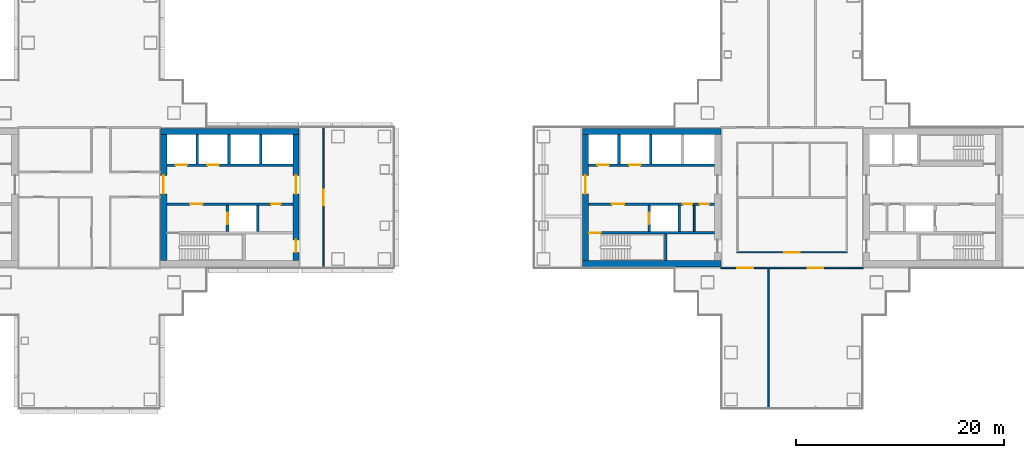
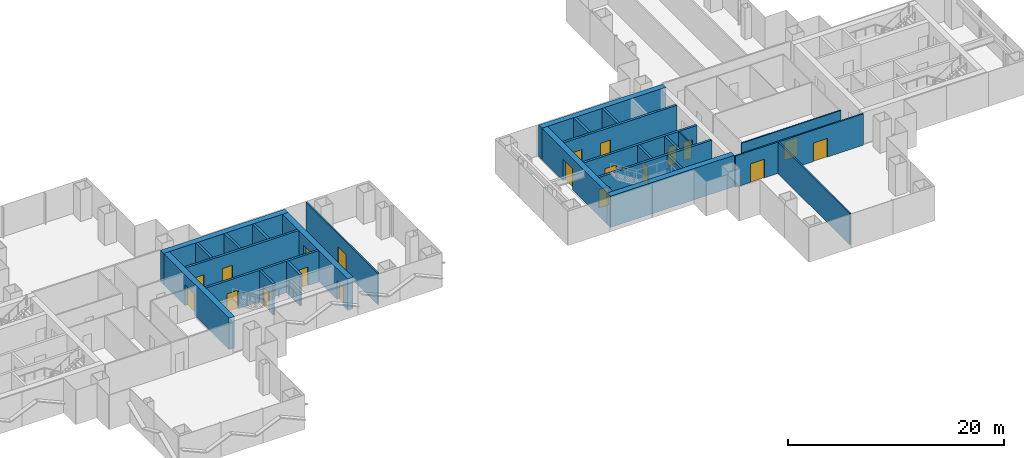
# One storey, part 13 of 18: 26 walls, 20 doors, 20 openings.
"""IFC4 building model written with IfcOpenShell, lengths in metres."""

import ifcopenshell
import ifcopenshell.guid

model = None  # the IFC model being written
_history = None  # IfcOwnerHistory: only IFC2X3 demands one
_inside = {}  # id of a spatial element -> (the spatial element, [elements in it])
_under = {}  # id of a project, library or spatial element -> (it, [spatial elements below it])
_declared = {}  # id of a project -> (the project, [libraries it declares])
_typed = {}  # id of a type object -> (the type object, [elements of that type])
_made_of = {}  # id of a material, layer set ... -> (it, [elements and type objects made of it])


def new_model(schema):
    """Start an empty IFC model of exactly this schema.

    Asked for "IFC4X3", IfcOpenShell would pick the latest addendum, in which some entities
    have other attributes; the version numbers below select the first issue.
    IFC2X3 requires an IfcOwnerHistory on every rooted entity: one is made here for all.
    """
    global model, _history
    if schema == "IFC4X3":
        model = ifcopenshell.file(schema_version=(4, 3, 0, 0))
    else:
        model = ifcopenshell.file(schema=schema)
    _inside.clear()
    _under.clear()
    _declared.clear()
    _typed.clear()
    _made_of.clear()
    _history = None
    if model.schema == "IFC2X3":
        org = make("IfcOrganization", Name="unknown")
        user = make(
            "IfcPersonAndOrganization",
            ThePerson=make("IfcPerson", FamilyName="unknown"),
            TheOrganization=org,
        )
        app = make(
            "IfcApplication",
            ApplicationDeveloper=org,
            Version="unknown",
            ApplicationFullName="unknown",
            ApplicationIdentifier="unknown",
        )
        _history = make(
            "IfcOwnerHistory",
            OwningUser=user,
            OwningApplication=app,
            ChangeAction="ADDED",
            CreationDate=0,
        )
    return model


def make(cls, **values):
    """One entity of the class cls with the attributes given. An attribute that is None is left unset."""
    return model.create_entity(
        cls, **{name: value for name, value in values.items() if value is not None}
    )


def rooted(cls, **values):
    """An entity with a GlobalId (a new one), such as an element, a storey or a relation."""
    return make(cls, GlobalId=ifcopenshell.guid.new(), OwnerHistory=_history, **values)


def si_unit(unit_type, name, prefix=None):
    """IfcSIUnit, for example si_unit("LENGTHUNIT", "METRE", prefix="MILLI")."""
    return make("IfcSIUnit", UnitType=unit_type, Prefix=prefix, Name=name)


def assignment(units):
    """IfcUnitAssignment: the units of a project."""
    return None if units is None else make("IfcUnitAssignment", Units=units)


def point(xyz):
    """IfcCartesianPoint."""
    return None if xyz is None else make("IfcCartesianPoint", Coordinates=xyz)


def direction(xyz):
    """IfcDirection."""
    return None if xyz is None else make("IfcDirection", DirectionRatios=xyz)


def frame(location, z_axis=None, x_axis=None):
    """IfcAxis2Placement3D, a coordinate frame: its origin and axes. An axis left out is left unset."""
    return make(
        "IfcAxis2Placement3D",
        Location=point(location),
        Axis=direction(z_axis),
        RefDirection=direction(x_axis),
    )


def frame_2d(location, x_axis=None):
    """IfcAxis2Placement2D, a coordinate frame in the plane: its origin and x axis."""
    return make(
        "IfcAxis2Placement2D", Location=point(location), RefDirection=direction(x_axis)
    )


def origin():
    """The frame at (0, 0, 0) with its axes left unset."""
    return frame((0.0, 0.0, 0.0))


def place(relative_to, where):
    """IfcLocalPlacement: puts the frame where relative to a parent placement (None: the world)."""
    return make(
        "IfcLocalPlacement", PlacementRelTo=relative_to, RelativePlacement=where
    )


def context(
    kind, dimensions, precision=None, world=None, true_north=None, identifier=None
):
    """IfcGeometricRepresentationContext, for example the 3D "Model" context."""
    return make(
        "IfcGeometricRepresentationContext",
        ContextIdentifier=identifier,
        ContextType=kind,
        CoordinateSpaceDimension=dimensions,
        Precision=precision,
        WorldCoordinateSystem=world,
        TrueNorth=true_north,
    )


def subcontext(parent, identifier, kind, view, scale=None):
    """IfcGeometricRepresentationSubContext, for example "Body" below "Model"."""
    return make(
        "IfcGeometricRepresentationSubContext",
        ContextIdentifier=identifier,
        ContextType=kind,
        ParentContext=parent,
        TargetScale=scale,
        TargetView=view,
    )


def project(units=None, contexts=None):
    """IfcProject with its units and contexts."""
    return rooted(
        "IfcProject",
        Name="project",
        RepresentationContexts=contexts,
        UnitsInContext=assignment(units),
    )


def spatial(cls, under=None, at=None, **own):
    """A site, building, storey or space (cls), placed at a placement, below another one or the project."""
    s = rooted(cls, ObjectPlacement=at, **own)
    if under is not None:
        _under.setdefault(under.id(), (under, []))[1].append(s)
    return s


def profile(cls, at=None, kind="AREA", **sizes):
    """A parametric profile (cls). Its sizes go by their IFC names, for example OverallWidth=200.0."""
    return make(cls, ProfileType=kind, Position=at, **sizes)


def rectangle(**sizes):
    """IfcRectangleProfileDef."""
    return profile("IfcRectangleProfileDef", **sizes)


def extrude(swept, where, along, depth):
    """IfcExtrudedAreaSolid: the profile swept, set in the frame where, extruded along a direction by depth."""
    return make(
        "IfcExtrudedAreaSolid",
        SweptArea=swept,
        Position=where,
        ExtrudedDirection=direction(along),
        Depth=depth,
    )


def shape(context_of_items, identifier, shape_type, items):
    """IfcShapeRepresentation: the items that make up one representation, for example the "Body"."""
    return make(
        "IfcShapeRepresentation",
        ContextOfItems=context_of_items,
        RepresentationIdentifier=identifier,
        RepresentationType=shape_type,
        Items=items,
    )


def material(Name=None, Category=None):
    """IfcMaterial."""
    return make("IfcMaterial", Name=Name, Category=Category)


def layer(
    of_material, thickness, ventilated=None, Name=None, Category=None, Priority=None
):
    """IfcMaterialLayer: one layer of a wall or slab, of a material (None: an air gap)."""
    return make(
        "IfcMaterialLayer",
        Material=of_material,
        LayerThickness=thickness,
        IsVentilated=ventilated,
        Name=Name,
        Category=Category,
        Priority=Priority,
    )


def layer_set(layers, Name=None):
    """IfcMaterialLayerSet."""
    return make("IfcMaterialLayerSet", MaterialLayers=layers, LayerSetName=Name)


def made_of(thing, what):
    """Note that an element or type object is made of a material, layer set ...; save() writes the relation."""
    if what is not None:
        _made_of.setdefault(what.id(), (what, []))[1].append(thing)
    return thing


def type_object(cls, material=None, **own):
    """A type object (cls), such as IfcWallType, which elements share."""
    return made_of(rooted(cls, **own), material)


def element(
    cls,
    number,
    at=None,
    inside=None,
    cuts=None,
    type_object=None,
    material=None,
    context=None,
    identifier="Body",
    shape_type=None,
    held_by="IfcProductDefinitionShape",
    body=None,
    shapes=None,
    **own,
):
    """One element of the class cls, such as IfcWall. Its Tag is "e" and its number.

    at: its placement. inside: the storey or other place that contains it. cuts: it is an
    opening in that element (IfcRelVoidsElement). A single representation is given by context,
    identifier, shape_type and body (its items); several are given by shapes. held_by: the class
    of the entity that holds the representations. save() writes the other relations.
    """
    e = rooted(cls, Tag="e%d" % number, ObjectPlacement=at, **own)
    if body is not None:
        shapes = [shape(context, identifier, shape_type, body)]
    if shapes is not None:
        e.Representation = make(held_by, Representations=shapes)
    if inside is not None:
        _inside.setdefault(inside.id(), (inside, []))[1].append(e)
    if cuts is not None:
        rooted(
            "IfcRelVoidsElement", RelatingBuildingElement=cuts, RelatedOpeningElement=e
        )
    if type_object is not None:
        _typed.setdefault(type_object.id(), (type_object, []))[1].append(e)
    return made_of(e, material)


def fill(opening, filler):
    """IfcRelFillsElement: the door or window that sits in an opening."""
    return rooted(
        "IfcRelFillsElement",
        RelatingOpeningElement=opening,
        RelatedBuildingElement=filler,
    )


def aggregate(whole, parts):
    """IfcRelAggregates: a whole, such as a stair, and the parts it consists of."""
    return rooted("IfcRelAggregates", RelatingObject=whole, RelatedObjects=parts)


def save(model, path):
    """Write the relations noted so far, then the file.

    IfcRelAggregates (storeys below a building ...), IfcRelContainedInSpatialStructure (elements
    in a storey), IfcRelDefinesByType, IfcRelAssociatesMaterial and IfcRelDeclares: one each for
    every whole, place, type object, material and project.
    """
    for whole, parts in _under.values():
        aggregate(whole, parts)
    for where, things in _inside.values():
        rooted(
            "IfcRelContainedInSpatialStructure",
            RelatedElements=things,
            RelatingStructure=where,
        )
    for kind, things in _typed.values():
        rooted("IfcRelDefinesByType", RelatedObjects=things, RelatingType=kind)
    for what, things in _made_of.values():
        rooted("IfcRelAssociatesMaterial", RelatedObjects=things, RelatingMaterial=what)
    for by, libraries in _declared.values():
        rooted("IfcRelDeclares", RelatingContext=by, RelatedDefinitions=libraries)
    model.write(path)


model = new_model("IFC4")

# Units and contexts
model_context = context("Model", 3, precision=1e-05, world=origin(), true_north=direction((0.0, 1.0)))
body_context = subcontext(model_context, "Body", "Model", "MODEL_VIEW")
ifc_project = project(units=[si_unit("LENGTHUNIT", "METRE"), si_unit("AREAUNIT", "SQUARE_METRE"), si_unit("VOLUMEUNIT", "CUBIC_METRE"), si_unit("PLANEANGLEUNIT", "RADIAN"), si_unit("MASSUNIT", "GRAM", prefix="KILO")], contexts=[model_context])

# Site, building, storey
site_placement = place(None, origin())
site = spatial("IfcSite", under=ifc_project, at=site_placement, CompositionType="ELEMENT")
building_placement = place(site_placement, origin())
building = spatial("IfcBuilding", under=site, at=building_placement, Name="Shamsa Quay Exchange Towers", CompositionType="ELEMENT")
storey_placement = place(building_placement, frame((0.0, 0.0, 113.10009765625)))
storey = spatial("IfcBuildingStorey", under=building, at=storey_placement, Name="L26", CompositionType="ELEMENT", Elevation=113.10009765625)

# Wall
ifc_material_1 = material(Name="Concrete C70/85", Category="concrete")
ifc_layer_1 = layer(ifc_material_1, 0.60009765625)
ifc_layer_set_1 = layer_set([ifc_layer_1], Name="CORE WALL 600 C70/85")
wall_type_1 = type_object("IfcWallType", Name="CORE WALL 600 C70/85", PredefinedType="SHEAR", material=ifc_layer_set_1)
wall_1_placement = place(storey_placement, frame((-26.89990234375, 6.35009765625, 0.0)))
element("IfcWall", 1, at=wall_1_placement, inside=storey, type_object=wall_type_1, Name="Core wall T1A-R12-PN", PredefinedType="SHEAR", context=body_context, shape_type="SweptSolid", body=[
    extrude(rectangle(XDim=13.2998046875, YDim=0.60009765625, at=frame_2d((6.64990234375, 0.0))), origin(), (0.0, 0.0, 1.0), 3.5498046875),
])

# Wall, opening, door
wall_2_placement = place(storey_placement, frame((-26.60009765625, 6.050048828125, 0.0), z_axis=(0.0, 0.0, 1.0), x_axis=(0.0, -1.0, 0.0)))
wall_2 = element("IfcWall", 2, at=wall_2_placement, inside=storey, type_object=wall_type_1, Name="Core wall T1A-R12-PF", PredefinedType="SHEAR", context=body_context, shape_type="SweptSolid", body=[
    extrude(rectangle(XDim=12.10009765625, YDim=0.60009765625, at=frame_2d((6.050048828125, 0.0))), origin(), (0.0, 0.0, 1.0), 3.5498046875),
])
opening_1_placement = place(wall_2_placement, frame((3.89990234375, 0.0, 0.0)))
opening_1 = element("IfcOpeningElement", 3, at=opening_1_placement, cuts=wall_2, Name="Opening T1A-R12-LBD01", PredefinedType="OPENING", context=body_context, shape_type="SweptSolid", body=[
    extrude(rectangle(XDim=1.800048828125, YDim=2.39990234375, at=frame_2d((0.89990234375, 1.199951171875))), frame((0.0, 0.31005859375, 0.0), z_axis=(0.0, -1.0, 0.0), x_axis=(1.0, 0.0, 0.0)), (0.0, 0.0, 1.0), 0.6201171875),
])
ifc_material_2 = material(Name="Steel, fire rated", Category="steel")
door_type_1 = type_object("IfcDoorType", Name="LIFT LOBBY DOOR PAIR 1800", OperationType="DOUBLE_DOOR_SINGLE_SWING", PredefinedType="DOOR", material=ifc_material_2)
door_1_placement = place(opening_1_placement, origin())
door_1 = element("IfcDoor", 4, at=door_1_placement, inside=storey, type_object=door_type_1, Name="T1A-R12-LBD01", OperationType="DOUBLE_DOOR_SINGLE_SWING", OverallHeight=2.39990234375, OverallWidth=1.800048828125, PredefinedType="DOOR", context=body_context, shape_type="SweptSolid", body=[
    extrude(rectangle(XDim=1.800048828125, YDim=2.39990234375, at=frame_2d((0.89990234375, 1.199951171875))), frame((0.0, 0.02490234375, 0.0), z_axis=(0.0, -1.0, 0.0), x_axis=(1.0, 0.0, 0.0)), (0.0, 0.0, 1.0), 0.050048828125),
])
fill(opening_1, door_1)

# Wall, openings, doors
wall_3_placement = place(storey_placement, frame((-13.89990234375, 6.050048828125, 0.0), z_axis=(0.0, 0.0, 1.0), x_axis=(0.0, -1.0, 0.0)))
wall_3 = element("IfcWall", 5, at=wall_3_placement, inside=storey, type_object=wall_type_1, Name="Core wall T1A-R12-PB", PredefinedType="SHEAR", context=body_context, shape_type="SweptSolid", body=[
    extrude(rectangle(XDim=12.10009765625, YDim=0.60009765625, at=frame_2d((6.050048828125, 0.0))), origin(), (0.0, 0.0, 1.0), 3.5498046875),
])
opening_2_placement = place(wall_3_placement, frame((10.10009765625, 0.0, 0.0)))
opening_2 = element("IfcOpeningElement", 6, at=opening_2_placement, cuts=wall_3, Name="Opening T1A-R12-RD02", PredefinedType="OPENING", context=body_context, shape_type="SweptSolid", body=[
    extrude(rectangle(XDim=1.199951171875, YDim=2.10009765625, at=frame_2d((0.60009765625, 1.050048828125))), frame((0.0, 0.31005859375, 0.0), z_axis=(0.0, -1.0, 0.0), x_axis=(1.0, 0.0, 0.0)), (0.0, 0.0, 1.0), 0.6201171875),
])
opening_3_placement = place(wall_3_placement, frame((3.89990234375, 0.0, 0.0)))
opening_3 = element("IfcOpeningElement", 7, at=opening_3_placement, cuts=wall_3, Name="Opening T1A-R12-LBD03", PredefinedType="OPENING", context=body_context, shape_type="SweptSolid", body=[
    extrude(rectangle(XDim=1.800048828125, YDim=2.39990234375, at=frame_2d((0.89990234375, 1.199951171875))), frame((0.0, 0.31005859375, 0.0), z_axis=(0.0, -1.0, 0.0), x_axis=(1.0, 0.0, 0.0)), (0.0, 0.0, 1.0), 0.6201171875),
])
door_2_placement = place(opening_3_placement, origin())
door_2 = element("IfcDoor", 8, at=door_2_placement, inside=storey, type_object=door_type_1, Name="T1A-R12-LBD03", OperationType="DOUBLE_DOOR_SINGLE_SWING", OverallHeight=2.39990234375, OverallWidth=1.800048828125, PredefinedType="DOOR", context=body_context, shape_type="SweptSolid", body=[
    extrude(rectangle(XDim=1.800048828125, YDim=2.39990234375, at=frame_2d((0.89990234375, 1.199951171875))), frame((0.0, 0.02490234375, 0.0), z_axis=(0.0, -1.0, 0.0), x_axis=(1.0, 0.0, 0.0)), (0.0, 0.0, 1.0), 0.050048828125),
])
fill(opening_3, door_2)
door_type_2 = type_object("IfcDoorType", Name="RISER ACCESS DOOR 1200", OperationType="SINGLE_SWING_LEFT", PredefinedType="DOOR", material=ifc_material_2)
door_3_placement = place(opening_2_placement, origin())
door_3 = element("IfcDoor", 9, at=door_3_placement, inside=storey, type_object=door_type_2, Name="T1A-R12-RD02", OperationType="SINGLE_SWING_RIGHT", OverallHeight=2.10009765625, OverallWidth=1.199951171875, PredefinedType="DOOR", context=body_context, shape_type="SweptSolid", body=[
    extrude(rectangle(XDim=1.199951171875, YDim=2.10009765625, at=frame_2d((0.60009765625, 1.050048828125))), frame((0.0, 0.02490234375, 0.0), z_axis=(0.0, -1.0, 0.0), x_axis=(1.0, 0.0, 0.0)), (0.0, 0.0, 1.0), 0.050048828125),
])
fill(opening_2, door_3)

# Walls
for number, where, name in (
    (10, (13.60009765625, -6.35009765625, 0.0), "Core wall T2A-R12-PS"),
    (11, (13.60009765625, 6.35009765625, 0.0), "Core wall T2A-R12-PN"),
):
    element("IfcWall", number, at=place(storey_placement, frame(where)), inside=storey, type_object=wall_type_1, Name=name, PredefinedType="SHEAR", context=body_context, shape_type="SweptSolid", body=[
        extrude(rectangle(XDim=13.2998046875, YDim=0.60009765625, at=frame_2d((6.64990234375, 0.0))), origin(), (0.0, 0.0, 1.0), 3.5498046875),
    ])

# Wall, opening, door
wall_4_placement = place(storey_placement, frame((13.89990234375, 6.050048828125, 0.0), z_axis=(0.0, 0.0, 1.0), x_axis=(0.0, -1.0, 0.0)))
wall_4 = element("IfcWall", 12, at=wall_4_placement, inside=storey, type_object=wall_type_1, Name="Core wall T2A-R12-PF", PredefinedType="SHEAR", context=body_context, shape_type="SweptSolid", body=[
    extrude(rectangle(XDim=12.10009765625, YDim=0.60009765625, at=frame_2d((6.050048828125, 0.0))), origin(), (0.0, 0.0, 1.0), 3.5498046875),
])
opening_4_placement = place(wall_4_placement, frame((3.89990234375, 0.0, 0.0)))
opening_4 = element("IfcOpeningElement", 13, at=opening_4_placement, cuts=wall_4, Name="Opening T2A-R12-LBD01", PredefinedType="OPENING", context=body_context, shape_type="SweptSolid", body=[
    extrude(rectangle(XDim=1.800048828125, YDim=2.39990234375, at=frame_2d((0.89990234375, 1.199951171875))), frame((0.0, 0.31005859375, 0.0), z_axis=(0.0, -1.0, 0.0), x_axis=(1.0, 0.0, 0.0)), (0.0, 0.0, 1.0), 0.6201171875),
])
door_4_placement = place(opening_4_placement, origin())
door_4 = element("IfcDoor", 14, at=door_4_placement, inside=storey, type_object=door_type_1, Name="T2A-R12-LBD01", OperationType="DOUBLE_DOOR_SINGLE_SWING", OverallHeight=2.39990234375, OverallWidth=1.800048828125, PredefinedType="DOOR", context=body_context, shape_type="SweptSolid", body=[
    extrude(rectangle(XDim=1.800048828125, YDim=2.39990234375, at=frame_2d((0.89990234375, 1.199951171875))), frame((0.0, 0.02490234375, 0.0), z_axis=(0.0, -1.0, 0.0), x_axis=(1.0, 0.0, 0.0)), (0.0, 0.0, 1.0), 0.050048828125),
])
fill(opening_4, door_4)

# Wall
ifc_material_3 = material(Name="Gypsum board on steel studs, EI 60", Category="steel")
ifc_layer_2 = layer(ifc_material_3, 0.14990234375)
ifc_layer_set_2 = layer_set([ifc_layer_2], Name="FIRE PARTITION 150")
wall_type_2 = type_object("IfcWallType", Name="FIRE PARTITION 150", PredefinedType="PARTITIONING", material=ifc_layer_set_2)
wall_5_placement = place(storey_placement, frame((24.35009765625, -3.25, 0.0), z_axis=(0.0, 0.0, 1.0), x_axis=(0.0, 1.0, 0.0)))
element("IfcWall", 15, at=wall_5_placement, inside=storey, type_object=wall_type_2, Name="Partition T2A-R12-EC0", PredefinedType="PARTITIONING", context=body_context, shape_type="SweptSolid", body=[
    extrude(rectangle(XDim=2.5, YDim=0.14990234375, at=frame_2d((1.25, 0.0))), origin(), (0.0, 0.0, 1.0), 3.5498046875),
])

# Wall, opening, door
ifc_material_4 = material(Name="Laminated fire-resisting glass in a metal frame", Category="glass")
ifc_layer_3 = layer(ifc_material_4, 0.125)
ifc_layer_set_3 = layer_set([ifc_layer_3], Name="Glazed partition 125 mm EI 60")
wall_type_3 = type_object("IfcWallType", Name="Glazed partition 125 mm EI 60", PredefinedType="PARTITIONING", material=ifc_layer_set_3)
wall_6_placement = place(storey_placement, frame((28.4375, -5.25, 0.0)))
wall_6 = element("IfcWall", 16, at=wall_6_placement, inside=storey, type_object=wall_type_3, Name="Partition T2-R12-W02", PredefinedType="PARTITIONING", context=body_context, shape_type="SweptSolid", body=[
    extrude(rectangle(XDim=10.625, YDim=0.125, at=frame_2d((5.3125, 0.0))), origin(), (0.0, 0.0, 1.0), 3.5498046875),
])
opening_5_placement = place(wall_6_placement, frame((4.5625, 0.0, 0.0)))
opening_5 = element("IfcOpeningElement", 17, at=opening_5_placement, cuts=wall_6, Name="Opening T2-R12-D04", PredefinedType="OPENING", context=body_context, shape_type="SweptSolid", body=[
    extrude(rectangle(XDim=1.5, YDim=2.10009765625, at=frame_2d((0.75, 1.050048828125))), frame((0.0, 0.072509765625, 0.0), z_axis=(0.0, -1.0, 0.0), x_axis=(1.0, 0.0, 0.0)), (0.0, 0.0, 1.0), 0.14501953125),
])
ifc_material_5 = material(Name="Timber door leaf in a metal frame", Category="wood")
door_type_3 = type_object("IfcDoorType", Name="Door 1500x2100 FD30S pair", OperationType="NOTDEFINED", PredefinedType="DOOR", material=ifc_material_5)
door_5_placement = place(opening_5_placement, origin())
door_5 = element("IfcDoor", 18, at=door_5_placement, inside=storey, type_object=door_type_3, Name="Door T2-R12-D04", OperationType="DOUBLE_DOOR_SINGLE_SWING", OverallHeight=2.10009765625, OverallWidth=1.5, PredefinedType="DOOR", context=body_context, shape_type="SweptSolid", body=[
    extrude(rectangle(XDim=1.5, YDim=2.10009765625, at=frame_2d((0.75, 1.050048828125))), frame((0.0, 0.02490234375, 0.0), z_axis=(0.0, -1.0, 0.0), x_axis=(1.0, 0.0, 0.0)), (0.0, 0.0, 1.0), 0.050048828125),
])
fill(opening_5, door_5)

ifc_material_6 = material(Name="Gypsum board partition on metal studs")
ifc_layer_4 = layer(ifc_material_6, 0.14990234375)
ifc_layer_set_4 = layer_set([ifc_layer_4], Name="Partition 150 mm EI 60")
wall_type_4 = type_object("IfcWallType", Name="Partition 150 mm EI 60", PredefinedType="PARTITIONING", material=ifc_layer_set_4)
wall_7_placement = place(storey_placement, frame((-11.25, 6.655029296875, 0.0), z_axis=(0.0, 0.0, 1.0), x_axis=(0.0, -1.0, 0.0)))
wall_7 = element("IfcWall", 19, at=wall_7_placement, inside=storey, type_object=wall_type_4, Name="Partition T1-R12-W11", PredefinedType="PARTITIONING", context=body_context, shape_type="SweptSolid", body=[
    extrude(rectangle(XDim=13.31005859375, YDim=0.14990234375, at=frame_2d((6.655029296875, 0.0))), origin(), (0.0, 0.0, 1.0), 3.5498046875),
])
opening_6_placement = place(wall_7_placement, frame((5.905029296875, 0.0, 0.0)))
opening_6 = element("IfcOpeningElement", 20, at=opening_6_placement, cuts=wall_7, Name="Opening T1-R12-D08", PredefinedType="OPENING", context=body_context, shape_type="SweptSolid", body=[
    extrude(rectangle(XDim=1.5, YDim=2.10009765625, at=frame_2d((0.75, 1.050048828125))), frame((0.0, 0.0849609375, 0.0), z_axis=(0.0, -1.0, 0.0), x_axis=(1.0, 0.0, 0.0)), (0.0, 0.0, 1.0), 0.169921875),
])
door_6_placement = place(opening_6_placement, origin())
door_6 = element("IfcDoor", 21, at=door_6_placement, inside=storey, type_object=door_type_3, Name="Door T1-R12-D08", OperationType="DOUBLE_DOOR_SINGLE_SWING", OverallHeight=2.10009765625, OverallWidth=1.5, PredefinedType="DOOR", context=body_context, shape_type="SweptSolid", body=[
    extrude(rectangle(XDim=1.5, YDim=2.10009765625, at=frame_2d((0.75, 1.050048828125))), frame((0.0, 0.02490234375, 0.0), z_axis=(0.0, -1.0, 0.0), x_axis=(1.0, 0.0, 0.0)), (0.0, 0.0, 1.0), 0.050048828125),
])
fill(opening_6, door_6)

# Wall, openings, doors
wall_8_placement = place(storey_placement, frame((40.60009765625, -6.75, 0.0), z_axis=(0.0, 0.0, 1.0), x_axis=(-1.0, 0.0, 0.0)))
wall_8 = element("IfcWall", 22, at=wall_8_placement, inside=storey, type_object=wall_type_4, Name="Partition T2-R12-W08", PredefinedType="PARTITIONING", context=body_context, shape_type="SweptSolid", body=[
    extrude(rectangle(XDim=13.7001953125, YDim=0.14990234375, at=frame_2d((6.85009765625, 0.0))), origin(), (0.0, 0.0, 1.0), 3.5498046875),
])
opening_7_placement = place(wall_8_placement, frame((10.60009765625, 0.0, 0.0)))
opening_7 = element("IfcOpeningElement", 23, at=opening_7_placement, cuts=wall_8, Name="Opening T2-R12-D08", PredefinedType="OPENING", context=body_context, shape_type="SweptSolid", body=[
    extrude(rectangle(XDim=1.5, YDim=2.10009765625, at=frame_2d((0.75, 1.050048828125))), frame((0.0, 0.0849609375, 0.0), z_axis=(0.0, -1.0, 0.0), x_axis=(1.0, 0.0, 0.0)), (0.0, 0.0, 1.0), 0.169921875),
])
opening_8_placement = place(wall_8_placement, frame((3.85009765625, 0.0, 0.0)))
opening_8 = element("IfcOpeningElement", 24, at=opening_8_placement, cuts=wall_8, Name="Opening T2-R12-D09", PredefinedType="OPENING", context=body_context, shape_type="SweptSolid", body=[
    extrude(rectangle(XDim=1.5, YDim=2.10009765625, at=frame_2d((0.75, 1.050048828125))), frame((0.0, 0.0849609375, 0.0), z_axis=(0.0, -1.0, 0.0), x_axis=(1.0, 0.0, 0.0)), (0.0, 0.0, 1.0), 0.169921875),
])
door_7_placement = place(opening_7_placement, origin())
door_7 = element("IfcDoor", 25, at=door_7_placement, inside=storey, type_object=door_type_3, Name="Door T2-R12-D08", OperationType="DOUBLE_DOOR_SINGLE_SWING", OverallHeight=2.10009765625, OverallWidth=1.5, PredefinedType="DOOR", context=body_context, shape_type="SweptSolid", body=[
    extrude(rectangle(XDim=1.5, YDim=2.10009765625, at=frame_2d((0.75, 1.050048828125))), frame((0.0, 0.02490234375, 0.0), z_axis=(0.0, -1.0, 0.0), x_axis=(1.0, 0.0, 0.0)), (0.0, 0.0, 1.0), 0.050048828125),
])
fill(opening_7, door_7)
door_8_placement = place(opening_8_placement, origin())
door_8 = element("IfcDoor", 26, at=door_8_placement, inside=storey, type_object=door_type_3, Name="Door T2-R12-D09", OperationType="DOUBLE_DOOR_SINGLE_SWING", OverallHeight=2.10009765625, OverallWidth=1.5, PredefinedType="DOOR", context=body_context, shape_type="SweptSolid", body=[
    extrude(rectangle(XDim=1.5, YDim=2.10009765625, at=frame_2d((0.75, 1.050048828125))), frame((0.0, 0.02490234375, 0.0), z_axis=(0.0, -1.0, 0.0), x_axis=(1.0, 0.0, 0.0)), (0.0, 0.0, 1.0), 0.050048828125),
])
fill(opening_8, door_8)

# Wall
wall_9_placement = place(storey_placement, frame((31.5, -6.824951171875, 0.0), z_axis=(0.0, 0.0, 1.0), x_axis=(0.0, -1.0, 0.0)))
element("IfcWall", 27, at=wall_9_placement, inside=storey, type_object=wall_type_4, Name="Partition T2-R12-W13", PredefinedType="PARTITIONING", context=body_context, shape_type="SweptSolid", body=[
    extrude(rectangle(XDim=13.330078125, YDim=0.14990234375, at=frame_2d((6.6650390625, 0.0))), origin(), (0.0, 0.0, 1.0), 3.5498046875),
])

# Wall, openings, doors
ifc_material_7 = material(Name="Concrete C50/60", Category="concrete")
ifc_layer_5 = layer(ifc_material_7, 0.25)
ifc_layer_set_5 = layer_set([ifc_layer_5], Name="SHAFT WALL 250 C50/60")
wall_type_5 = type_object("IfcWallType", Name="SHAFT WALL 250 C50/60", PredefinedType="SHEAR", material=ifc_layer_set_5)
wall_10_placement = place(storey_placement, frame((-14.199951171875, -0.625, 0.0), z_axis=(0.0, 0.0, 1.0), x_axis=(-1.0, 0.0, 0.0)))
wall_10 = element("IfcWall", 28, at=wall_10_placement, inside=storey, type_object=wall_type_5, Name="Shaft wall T1A-R12-B", PredefinedType="SHEAR", context=body_context, shape_type="SweptSolid", body=[
    extrude(rectangle(XDim=12.10009765625, YDim=0.25, at=frame_2d((6.050048828125, 0.0))), origin(), (0.0, 0.0, 1.0), 3.5498046875),
])
opening_9_placement = place(wall_10_placement, frame((8.64990234375, 0.0, 0.0)))
opening_9 = element("IfcOpeningElement", 29, at=opening_9_placement, cuts=wall_10, Name="Opening T1A-R12-FD05", PredefinedType="OPENING", context=body_context, shape_type="SweptSolid", body=[
    extrude(rectangle(XDim=1.199951171875, YDim=2.10009765625, at=frame_2d((0.60009765625, 1.050048828125))), frame((0.0, 0.135009765625, 0.0), z_axis=(0.0, -1.0, 0.0), x_axis=(1.0, 0.0, 0.0)), (0.0, 0.0, 1.0), 0.27001953125),
])
opening_10_placement = place(wall_10_placement, frame((1.175048828125, 0.0, 0.0)))
opening_10 = element("IfcOpeningElement", 30, at=opening_10_placement, cuts=wall_10, Name="Opening T1A-R12-SV06", PredefinedType="OPENING", context=body_context, shape_type="SweptSolid", body=[
    extrude(rectangle(XDim=0.89990234375, YDim=2.10009765625, at=frame_2d((0.449951171875, 1.050048828125))), frame((0.0, 0.135009765625, 0.0), z_axis=(0.0, -1.0, 0.0), x_axis=(1.0, 0.0, 0.0)), (0.0, 0.0, 1.0), 0.27001953125),
])
door_type_4 = type_object("IfcDoorType", Name="FIRE SERVICE LOBBY DOOR 1200", OperationType="SINGLE_SWING_LEFT", PredefinedType="DOOR", material=ifc_material_2)
door_9_placement = place(opening_9_placement, origin())
door_9 = element("IfcDoor", 31, at=door_9_placement, inside=storey, type_object=door_type_4, Name="T1A-R12-FD05", OperationType="SINGLE_SWING_RIGHT", OverallHeight=2.10009765625, OverallWidth=1.199951171875, PredefinedType="DOOR", context=body_context, shape_type="SweptSolid", body=[
    extrude(rectangle(XDim=1.199951171875, YDim=2.10009765625, at=frame_2d((0.60009765625, 1.050048828125))), frame((0.0, 0.02490234375, 0.0), z_axis=(0.0, -1.0, 0.0), x_axis=(1.0, 0.0, 0.0)), (0.0, 0.0, 1.0), 0.050048828125),
])
fill(opening_9, door_9)
door_type_5 = type_object("IfcDoorType", Name="SERVICE ROOM DOOR 900", OperationType="SINGLE_SWING_LEFT", PredefinedType="DOOR", material=ifc_material_2)
door_10_placement = place(opening_10_placement, origin())
door_10 = element("IfcDoor", 32, at=door_10_placement, inside=storey, type_object=door_type_5, Name="T1A-R12-SV06", OperationType="SINGLE_SWING_LEFT", OverallHeight=2.10009765625, OverallWidth=0.89990234375, PredefinedType="DOOR", context=body_context, shape_type="SweptSolid", body=[
    extrude(rectangle(XDim=0.89990234375, YDim=2.10009765625, at=frame_2d((0.449951171875, 1.050048828125))), frame((0.0, 0.02490234375, 0.0), z_axis=(0.0, -1.0, 0.0), x_axis=(1.0, 0.0, 0.0)), (0.0, 0.0, 1.0), 0.050048828125),
])
fill(opening_10, door_10)

# Wall, opening, door
wall_11_placement = place(storey_placement, frame((-20.47509765625, -3.25, 0.0), z_axis=(0.0, 0.0, 1.0), x_axis=(0.0, 1.0, 0.0)))
wall_11 = element("IfcWall", 33, at=wall_11_placement, inside=storey, type_object=wall_type_5, Name="Shaft wall T1A-R12-FFF", PredefinedType="SHEAR", context=body_context, shape_type="SweptSolid", body=[
    extrude(rectangle(XDim=2.5, YDim=0.25, at=frame_2d((1.25, 0.0))), origin(), (0.0, 0.0, 1.0), 3.5498046875),
])
opening_11_placement = place(wall_11_placement, frame((0.699951171875, 0.0, 0.0)))
opening_11 = element("IfcOpeningElement", 34, at=opening_11_placement, cuts=wall_11, Name="Opening T1A-R12-LDF07", PredefinedType="OPENING", context=body_context, shape_type="SweptSolid", body=[
    extrude(rectangle(XDim=1.10009765625, YDim=2.10009765625, at=frame_2d((0.550048828125, 1.050048828125))), frame((0.0, 0.135009765625, 0.0), z_axis=(0.0, -1.0, 0.0), x_axis=(1.0, 0.0, 0.0)), (0.0, 0.0, 1.0), 0.27001953125),
])
door_type_6 = type_object("IfcDoorType", Name="FIRE SERVICE LANDING DOOR 1100", OperationType="SLIDING_TO_LEFT", PredefinedType="DOOR", material=ifc_material_2)
door_11_placement = place(opening_11_placement, origin())
door_11 = element("IfcDoor", 35, at=door_11_placement, inside=storey, type_object=door_type_6, Name="T1A-R12-LDF07", OperationType="SLIDING_TO_LEFT", OverallHeight=2.10009765625, OverallWidth=1.10009765625, PredefinedType="DOOR", context=body_context, shape_type="SweptSolid", body=[
    extrude(rectangle(XDim=1.10009765625, YDim=2.10009765625, at=frame_2d((0.550048828125, 1.050048828125))), frame((0.0, 0.02490234375, 0.0), z_axis=(0.0, -1.0, 0.0), x_axis=(1.0, 0.0, 0.0)), (0.0, 0.0, 1.0), 0.050048828125),
])
fill(opening_11, door_11)

# Wall
wall_12_placement = place(storey_placement, frame((-17.574951171875, -3.25, 0.0), z_axis=(0.0, 0.0, 1.0), x_axis=(0.0, 1.0, 0.0)))
element("IfcWall", 36, at=wall_12_placement, inside=storey, type_object=wall_type_5, Name="Shaft wall T1A-R12-FFB", PredefinedType="SHEAR", context=body_context, shape_type="SweptSolid", body=[
    extrude(rectangle(XDim=2.5, YDim=0.25, at=frame_2d((1.25, 0.0))), origin(), (0.0, 0.0, 1.0), 3.5498046875),
])

# Wall, openings, doors
wall_13_placement = place(storey_placement, frame((-26.300048828125, 3.125, 0.0)))
wall_13 = element("IfcWall", 37, at=wall_13_placement, inside=storey, type_object=wall_type_5, Name="Shaft wall T1A-R12-N", PredefinedType="SHEAR", context=body_context, shape_type="SweptSolid", body=[
    extrude(rectangle(XDim=12.10009765625, YDim=0.25, at=frame_2d((6.050048828125, 0.0))), origin(), (0.0, 0.0, 1.0), 3.5498046875),
])
opening_12_placement = place(wall_13_placement, frame((0.85009765625, 0.0, 0.0)))
opening_12 = element("IfcOpeningElement", 38, at=opening_12_placement, cuts=wall_13, Name="Opening T1A-R12-LD08", PredefinedType="OPENING", context=body_context, shape_type="SweptSolid", body=[
    extrude(rectangle(XDim=1.10009765625, YDim=2.10009765625, at=frame_2d((0.550048828125, 1.050048828125))), frame((0.0, 0.135009765625, 0.0), z_axis=(0.0, -1.0, 0.0), x_axis=(1.0, 0.0, 0.0)), (0.0, 0.0, 1.0), 0.27001953125),
])
opening_13_placement = place(wall_13_placement, frame((3.89990234375, 0.0, 0.0)))
opening_13 = element("IfcOpeningElement", 39, at=opening_13_placement, cuts=wall_13, Name="Opening T1A-R12-LD09", PredefinedType="OPENING", context=body_context, shape_type="SweptSolid", body=[
    extrude(rectangle(XDim=1.10009765625, YDim=2.10009765625, at=frame_2d((0.550048828125, 1.050048828125))), frame((0.0, 0.135009765625, 0.0), z_axis=(0.0, -1.0, 0.0), x_axis=(1.0, 0.0, 0.0)), (0.0, 0.0, 1.0), 0.27001953125),
])
door_type_7 = type_object("IfcDoorType", Name="LANDING DOOR 1100", OperationType="SLIDING_TO_LEFT", PredefinedType="DOOR", material=ifc_material_2)
door_12_placement = place(opening_12_placement, origin())
door_12 = element("IfcDoor", 40, at=door_12_placement, inside=storey, type_object=door_type_7, Name="T1A-R12-LD08", OperationType="SLIDING_TO_LEFT", OverallHeight=2.10009765625, OverallWidth=1.10009765625, PredefinedType="DOOR", context=body_context, shape_type="SweptSolid", body=[
    extrude(rectangle(XDim=1.10009765625, YDim=2.10009765625, at=frame_2d((0.550048828125, 1.050048828125))), frame((0.0, 0.02490234375, 0.0), z_axis=(0.0, -1.0, 0.0), x_axis=(1.0, 0.0, 0.0)), (0.0, 0.0, 1.0), 0.050048828125),
])
fill(opening_12, door_12)
door_13_placement = place(opening_13_placement, origin())
door_13 = element("IfcDoor", 41, at=door_13_placement, inside=storey, type_object=door_type_7, Name="T1A-R12-LD09", OperationType="SLIDING_TO_LEFT", OverallHeight=2.10009765625, OverallWidth=1.10009765625, PredefinedType="DOOR", context=body_context, shape_type="SweptSolid", body=[
    extrude(rectangle(XDim=1.10009765625, YDim=2.10009765625, at=frame_2d((0.550048828125, 1.050048828125))), frame((0.0, 0.02490234375, 0.0), z_axis=(0.0, -1.0, 0.0), x_axis=(1.0, 0.0, 0.0)), (0.0, 0.0, 1.0), 0.050048828125),
])
fill(opening_13, door_13)

# Walls
for number, where, z_axis, x_axis, name in (
    (42, (-23.375, 3.25, 0.0), (0.0, 0.0, 1.0), (0.0, 1.0, 0.0), "Shaft wall T1A-R12-D0"),
    (43, (-20.324951171875, 3.25, 0.0), (0.0, 0.0, 1.0), (0.0, 1.0, 0.0), "Shaft wall T1A-R12-D1"),
    (44, (-17.27490234375, 3.25, 0.0), (0.0, 0.0, 1.0), (0.0, 1.0, 0.0), "Shaft wall T1A-R12-D2"),
):
    element("IfcWall", number, at=place(storey_placement, frame(where, z_axis=z_axis, x_axis=x_axis)), inside=storey, type_object=wall_type_5, Name=name, PredefinedType="SHEAR", context=body_context, shape_type="SweptSolid", body=[
        extrude(rectangle(XDim=2.800048828125, YDim=0.25, at=frame_2d((1.39990234375, 0.0))), origin(), (0.0, 0.0, 1.0), 3.5498046875),
    ])

# Wall, opening, door
wall_14_placement = place(storey_placement, frame((26.300048828125, -3.375, 0.0), z_axis=(0.0, 0.0, 1.0), x_axis=(-1.0, 0.0, 0.0)))
wall_14 = element("IfcWall", 45, at=wall_14_placement, inside=storey, type_object=wall_type_5, Name="Shaft wall T2A-R12-STL", PredefinedType="SHEAR", context=body_context, shape_type="SweptSolid", body=[
    extrude(rectangle(XDim=12.10009765625, YDim=0.25, at=frame_2d((6.050048828125, 0.0))), origin(), (0.0, 0.0, 1.0), 3.5498046875),
])
opening_14_placement = place(wall_14_placement, frame((10.949951171875, 0.0, 0.0)))
opening_14 = element("IfcOpeningElement", 46, at=opening_14_placement, cuts=wall_14, Name="Opening T2A-R12-SD04", PredefinedType="OPENING", context=body_context, shape_type="SweptSolid", body=[
    extrude(rectangle(XDim=1.10009765625, YDim=2.10009765625, at=frame_2d((0.550048828125, 1.050048828125))), frame((0.0, 0.135009765625, 0.0), z_axis=(0.0, -1.0, 0.0), x_axis=(1.0, 0.0, 0.0)), (0.0, 0.0, 1.0), 0.27001953125),
])
door_type_8 = type_object("IfcDoorType", Name="STAIR DOOR 1100", OperationType="SINGLE_SWING_LEFT", PredefinedType="DOOR", material=ifc_material_2)
door_14_placement = place(opening_14_placement, origin())
door_14 = element("IfcDoor", 47, at=door_14_placement, inside=storey, type_object=door_type_8, Name="T2A-R12-SD04", OperationType="SINGLE_SWING_RIGHT", OverallHeight=2.10009765625, OverallWidth=1.10009765625, PredefinedType="DOOR", context=body_context, shape_type="SweptSolid", body=[
    extrude(rectangle(XDim=1.10009765625, YDim=2.10009765625, at=frame_2d((0.550048828125, 1.050048828125))), frame((0.0, 0.02490234375, 0.0), z_axis=(0.0, -1.0, 0.0), x_axis=(1.0, 0.0, 0.0)), (0.0, 0.0, 1.0), 0.050048828125),
])
fill(opening_14, door_14)

# Wall
wall_15_placement = place(storey_placement, frame((21.625, -6.050048828125, 0.0), z_axis=(0.0, 0.0, 1.0), x_axis=(0.0, 1.0, 0.0)))
element("IfcWall", 48, at=wall_15_placement, inside=storey, type_object=wall_type_5, Name="Shaft wall T2A-R12-STF", PredefinedType="SHEAR", context=body_context, shape_type="SweptSolid", body=[
    extrude(rectangle(XDim=2.550048828125, YDim=0.25, at=frame_2d((1.27490234375, 0.0))), origin(), (0.0, 0.0, 1.0), 3.5498046875),
])

# Wall, openings, doors
wall_16_placement = place(storey_placement, frame((26.300048828125, -0.625, 0.0), z_axis=(0.0, 0.0, 1.0), x_axis=(-1.0, 0.0, 0.0)))
wall_16 = element("IfcWall", 49, at=wall_16_placement, inside=storey, type_object=wall_type_5, Name="Shaft wall T2A-R12-B", PredefinedType="SHEAR", context=body_context, shape_type="SweptSolid", body=[
    extrude(rectangle(XDim=12.10009765625, YDim=0.25, at=frame_2d((6.050048828125, 0.0))), origin(), (0.0, 0.0, 1.0), 3.5498046875),
])
opening_15_placement = place(wall_16_placement, frame((8.64990234375, 0.0, 0.0)))
opening_15 = element("IfcOpeningElement", 50, at=opening_15_placement, cuts=wall_16, Name="Opening T2A-R12-FD05", PredefinedType="OPENING", context=body_context, shape_type="SweptSolid", body=[
    extrude(rectangle(XDim=1.199951171875, YDim=2.10009765625, at=frame_2d((0.60009765625, 1.050048828125))), frame((0.0, 0.135009765625, 0.0), z_axis=(0.0, -1.0, 0.0), x_axis=(1.0, 0.0, 0.0)), (0.0, 0.0, 1.0), 0.27001953125),
])
opening_16_placement = place(wall_16_placement, frame((2.14990234375, 0.0, 0.0)))
opening_16 = element("IfcOpeningElement", 51, at=opening_16_placement, cuts=wall_16, Name="Opening T2A-R12-SV06", PredefinedType="OPENING", context=body_context, shape_type="SweptSolid", body=[
    extrude(rectangle(XDim=0.89990234375, YDim=2.10009765625, at=frame_2d((0.449951171875, 1.050048828125))), frame((0.0, 0.135009765625, 0.0), z_axis=(0.0, -1.0, 0.0), x_axis=(1.0, 0.0, 0.0)), (0.0, 0.0, 1.0), 0.27001953125),
])
opening_17_placement = place(wall_16_placement, frame((0.52490234375, 0.0, 0.0)))
opening_17 = element("IfcOpeningElement", 52, at=opening_17_placement, cuts=wall_16, Name="Opening T2A-R12-SV07", PredefinedType="OPENING", context=body_context, shape_type="SweptSolid", body=[
    extrude(rectangle(XDim=0.89990234375, YDim=2.10009765625, at=frame_2d((0.449951171875, 1.050048828125))), frame((0.0, 0.135009765625, 0.0), z_axis=(0.0, -1.0, 0.0), x_axis=(1.0, 0.0, 0.0)), (0.0, 0.0, 1.0), 0.27001953125),
])
door_15_placement = place(opening_15_placement, origin())
door_15 = element("IfcDoor", 53, at=door_15_placement, inside=storey, type_object=door_type_4, Name="T2A-R12-FD05", OperationType="SINGLE_SWING_RIGHT", OverallHeight=2.10009765625, OverallWidth=1.199951171875, PredefinedType="DOOR", context=body_context, shape_type="SweptSolid", body=[
    extrude(rectangle(XDim=1.199951171875, YDim=2.10009765625, at=frame_2d((0.60009765625, 1.050048828125))), frame((0.0, 0.02490234375, 0.0), z_axis=(0.0, -1.0, 0.0), x_axis=(1.0, 0.0, 0.0)), (0.0, 0.0, 1.0), 0.050048828125),
])
fill(opening_15, door_15)
door_16_placement = place(opening_16_placement, origin())
door_16 = element("IfcDoor", 54, at=door_16_placement, inside=storey, type_object=door_type_5, Name="T2A-R12-SV06", OperationType="SINGLE_SWING_LEFT", OverallHeight=2.10009765625, OverallWidth=0.89990234375, PredefinedType="DOOR", context=body_context, shape_type="SweptSolid", body=[
    extrude(rectangle(XDim=0.89990234375, YDim=2.10009765625, at=frame_2d((0.449951171875, 1.050048828125))), frame((0.0, 0.02490234375, 0.0), z_axis=(0.0, -1.0, 0.0), x_axis=(1.0, 0.0, 0.0)), (0.0, 0.0, 1.0), 0.050048828125),
])
fill(opening_16, door_16)
door_17_placement = place(opening_17_placement, origin())
door_17 = element("IfcDoor", 55, at=door_17_placement, inside=storey, type_object=door_type_5, Name="T2A-R12-SV07", OperationType="SINGLE_SWING_LEFT", OverallHeight=2.10009765625, OverallWidth=0.89990234375, PredefinedType="DOOR", context=body_context, shape_type="SweptSolid", body=[
    extrude(rectangle(XDim=0.89990234375, YDim=2.10009765625, at=frame_2d((0.449951171875, 1.050048828125))), frame((0.0, 0.02490234375, 0.0), z_axis=(0.0, -1.0, 0.0), x_axis=(1.0, 0.0, 0.0)), (0.0, 0.0, 1.0), 0.050048828125),
])
fill(opening_17, door_17)

# Wall, opening, door
wall_17_placement = place(storey_placement, frame((20.02490234375, -3.25, 0.0), z_axis=(0.0, 0.0, 1.0), x_axis=(0.0, 1.0, 0.0)))
wall_17 = element("IfcWall", 56, at=wall_17_placement, inside=storey, type_object=wall_type_5, Name="Shaft wall T2A-R12-FFF", PredefinedType="SHEAR", context=body_context, shape_type="SweptSolid", body=[
    extrude(rectangle(XDim=2.5, YDim=0.25, at=frame_2d((1.25, 0.0))), origin(), (0.0, 0.0, 1.0), 3.5498046875),
])
opening_18_placement = place(wall_17_placement, frame((0.699951171875, 0.0, 0.0)))
opening_18 = element("IfcOpeningElement", 57, at=opening_18_placement, cuts=wall_17, Name="Opening T2A-R12-LDF08", PredefinedType="OPENING", context=body_context, shape_type="SweptSolid", body=[
    extrude(rectangle(XDim=1.10009765625, YDim=2.10009765625, at=frame_2d((0.550048828125, 1.050048828125))), frame((0.0, 0.135009765625, 0.0), z_axis=(0.0, -1.0, 0.0), x_axis=(1.0, 0.0, 0.0)), (0.0, 0.0, 1.0), 0.27001953125),
])
door_18_placement = place(opening_18_placement, origin())
door_18 = element("IfcDoor", 58, at=door_18_placement, inside=storey, type_object=door_type_6, Name="T2A-R12-LDF08", OperationType="SLIDING_TO_LEFT", OverallHeight=2.10009765625, OverallWidth=1.10009765625, PredefinedType="DOOR", context=body_context, shape_type="SweptSolid", body=[
    extrude(rectangle(XDim=1.10009765625, YDim=2.10009765625, at=frame_2d((0.550048828125, 1.050048828125))), frame((0.0, 0.02490234375, 0.0), z_axis=(0.0, -1.0, 0.0), x_axis=(1.0, 0.0, 0.0)), (0.0, 0.0, 1.0), 0.050048828125),
])
fill(opening_18, door_18)

# Wall
wall_18_placement = place(storey_placement, frame((22.925048828125, -3.25, 0.0), z_axis=(0.0, 0.0, 1.0), x_axis=(0.0, 1.0, 0.0)))
element("IfcWall", 59, at=wall_18_placement, inside=storey, type_object=wall_type_5, Name="Shaft wall T2A-R12-FFB", PredefinedType="SHEAR", context=body_context, shape_type="SweptSolid", body=[
    extrude(rectangle(XDim=2.5, YDim=0.25, at=frame_2d((1.25, 0.0))), origin(), (0.0, 0.0, 1.0), 3.5498046875),
])

# Wall, openings, doors
wall_19_placement = place(storey_placement, frame((14.199951171875, 3.125, 0.0)))
wall_19 = element("IfcWall", 60, at=wall_19_placement, inside=storey, type_object=wall_type_5, Name="Shaft wall T2A-R12-N", PredefinedType="SHEAR", context=body_context, shape_type="SweptSolid", body=[
    extrude(rectangle(XDim=12.10009765625, YDim=0.25, at=frame_2d((6.050048828125, 0.0))), origin(), (0.0, 0.0, 1.0), 3.5498046875),
])
opening_19_placement = place(wall_19_placement, frame((0.85009765625, 0.0, 0.0)))
opening_19 = element("IfcOpeningElement", 61, at=opening_19_placement, cuts=wall_19, Name="Opening T2A-R12-LD09", PredefinedType="OPENING", context=body_context, shape_type="SweptSolid", body=[
    extrude(rectangle(XDim=1.10009765625, YDim=2.10009765625, at=frame_2d((0.550048828125, 1.050048828125))), frame((0.0, 0.135009765625, 0.0), z_axis=(0.0, -1.0, 0.0), x_axis=(1.0, 0.0, 0.0)), (0.0, 0.0, 1.0), 0.27001953125),
])
opening_20_placement = place(wall_19_placement, frame((3.89990234375, 0.0, 0.0)))
opening_20 = element("IfcOpeningElement", 62, at=opening_20_placement, cuts=wall_19, Name="Opening T2A-R12-LD10", PredefinedType="OPENING", context=body_context, shape_type="SweptSolid", body=[
    extrude(rectangle(XDim=1.10009765625, YDim=2.10009765625, at=frame_2d((0.550048828125, 1.050048828125))), frame((0.0, 0.135009765625, 0.0), z_axis=(0.0, -1.0, 0.0), x_axis=(1.0, 0.0, 0.0)), (0.0, 0.0, 1.0), 0.27001953125),
])
door_19_placement = place(opening_19_placement, origin())
door_19 = element("IfcDoor", 63, at=door_19_placement, inside=storey, type_object=door_type_7, Name="T2A-R12-LD09", OperationType="SLIDING_TO_LEFT", OverallHeight=2.10009765625, OverallWidth=1.10009765625, PredefinedType="DOOR", context=body_context, shape_type="SweptSolid", body=[
    extrude(rectangle(XDim=1.10009765625, YDim=2.10009765625, at=frame_2d((0.550048828125, 1.050048828125))), frame((0.0, 0.02490234375, 0.0), z_axis=(0.0, -1.0, 0.0), x_axis=(1.0, 0.0, 0.0)), (0.0, 0.0, 1.0), 0.050048828125),
])
fill(opening_19, door_19)
door_20_placement = place(opening_20_placement, origin())
door_20 = element("IfcDoor", 64, at=door_20_placement, inside=storey, type_object=door_type_7, Name="T2A-R12-LD10", OperationType="SLIDING_TO_LEFT", OverallHeight=2.10009765625, OverallWidth=1.10009765625, PredefinedType="DOOR", context=body_context, shape_type="SweptSolid", body=[
    extrude(rectangle(XDim=1.10009765625, YDim=2.10009765625, at=frame_2d((0.550048828125, 1.050048828125))), frame((0.0, 0.02490234375, 0.0), z_axis=(0.0, -1.0, 0.0), x_axis=(1.0, 0.0, 0.0)), (0.0, 0.0, 1.0), 0.050048828125),
])
fill(opening_20, door_20)

# Walls
for number, where, z_axis, x_axis, name in (
    (65, (17.125, 3.25, 0.0), (0.0, 0.0, 1.0), (0.0, 1.0, 0.0), "Shaft wall T2A-R12-D0"),
    (66, (20.175048828125, 3.25, 0.0), (0.0, 0.0, 1.0), (0.0, 1.0, 0.0), "Shaft wall T2A-R12-D1"),
):
    element("IfcWall", number, at=place(storey_placement, frame(where, z_axis=z_axis, x_axis=x_axis)), inside=storey, type_object=wall_type_5, Name=name, PredefinedType="SHEAR", context=body_context, shape_type="SweptSolid", body=[
        extrude(rectangle(XDim=2.800048828125, YDim=0.25, at=frame_2d((1.39990234375, 0.0))), origin(), (0.0, 0.0, 1.0), 3.5498046875),
    ])

save(model, "model.ifc")
